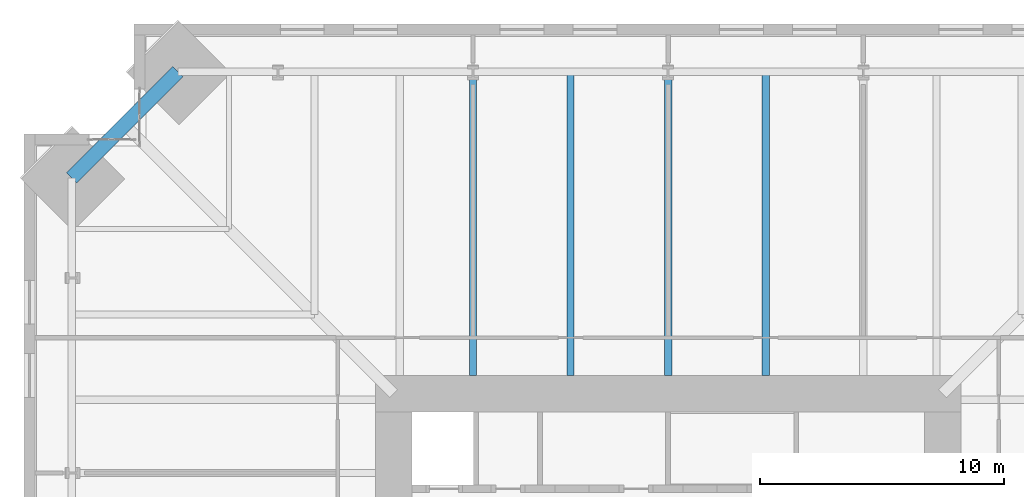
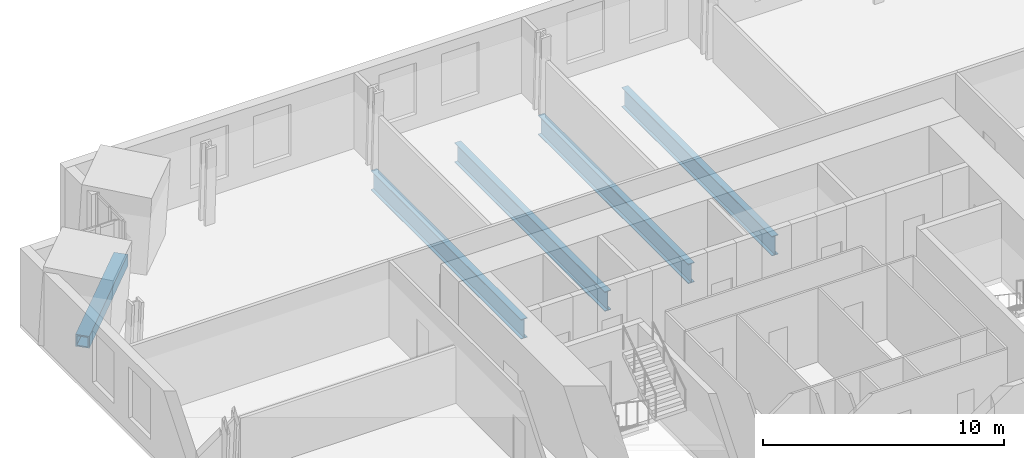
# One storey, part 7 of 18: 5 beams.
"""IFC4 building model written with IfcOpenShell, lengths in metres."""

from ifc_helpers import new_model, si_unit, direction, frame, origin, origin_2d, place, context, subcontext, project, spatial, hollow_rectangle, i_section, extrude, material, material_profile, profile_set, type_object, element, save


model = new_model("IFC4")

# Units and contexts
model_context = context("Model", 3, precision=1e-05, world=origin(), true_north=direction((0.0, 1.0)))
body_context = subcontext(model_context, "Body", "Model", "MODEL_VIEW")
ifc_project = project(units=[si_unit("LENGTHUNIT", "METRE"), si_unit("AREAUNIT", "SQUARE_METRE"), si_unit("VOLUMEUNIT", "CUBIC_METRE"), si_unit("PLANEANGLEUNIT", "RADIAN"), si_unit("MASSUNIT", "GRAM", prefix="KILO")], contexts=[model_context])

# Site, building, storey
site_placement = place(None, origin())
site = spatial("IfcSite", under=ifc_project, at=site_placement, CompositionType="ELEMENT")
building_placement = place(site_placement, origin())
building = spatial("IfcBuilding", under=site, at=building_placement, Name="Peilmerk Tower", CompositionType="ELEMENT")
storey_placement = place(building_placement, frame((0.0, 0.0, 159.800048828125)))
storey = spatial("IfcBuildingStorey", under=building, at=storey_placement, Name="L33", CompositionType="ELEMENT", Elevation=159.800048828125)

# Beams
ifc_material_1 = material(Name="Steel S355", Category="steel")
ifc_material_profile_1 = material_profile(ifc_material_1, i_section(OverallWidth=0.300048828125, OverallDepth=0.989990234375, WebThickness=0.0166015625, FlangeThickness=0.031005859375, at=origin_2d()), Name="HEA 1000")
ifc_profile_set_1 = profile_set([ifc_material_profile_1], Name="Steel S355")
beam_type_1 = type_object("IfcBeamType", Name="B14 HEA 1000 floor girder", PredefinedType="BEAM", material=ifc_profile_set_1)
for number, where, z_axis, x_axis, name in (
    (1, (4.0, 12.0, -0.6650390625), (0.0, 1.0, 0.0), (-1.0, 0.0, 0.0), "Floor beam L33"),
    (2, (0.0, 12.0, -0.6650390625), (0.0, 1.0, 0.0), (-1.0, 0.0, 0.0), "Floor beam L33"),
    (3, (-4.0, 12.0, -0.6650390625), (0.0, 1.0, 0.0), (-1.0, 0.0, 0.0), "Floor beam L33"),
    (4, (-8.0, 12.0, -0.6650390625), (0.0, 1.0, 0.0), (-1.0, 0.0, 0.0), "Floor beam L33"),
):
    element("IfcBeam", number, at=place(storey_placement, frame(where, z_axis=z_axis, x_axis=x_axis)), inside=storey, type_object=beam_type_1, Name=name, PredefinedType="BEAM", context=body_context, shape_type="SweptSolid", body=[
        extrude(i_section(OverallWidth=0.300048828125, OverallDepth=0.989990234375, WebThickness=0.0166015625, FlangeThickness=0.031005859375, at=origin_2d()), origin(), (0.0, 0.0, 1.0), 12.453125),
    ])
ifc_material_2 = material(Name="Steel S460", Category="steel")
ifc_material_profile_2 = material_profile(ifc_material_2, hollow_rectangle(XDim=0.60009765625, YDim=0.60009765625, WallThickness=0.06005859375, at=origin_2d()), Name="BOX 600x600x60")
ifc_profile_set_2 = profile_set([ifc_material_profile_2], Name="Steel S460")
beam_type_2 = type_object("IfcBeamType", Name="B20 BOX 600x600x60 notch beam", PredefinedType="SPANDREL", material=ifc_profile_set_2)
beam_placement = place(storey_placement, frame((-24.453125, 20.103271484375, -0.469970703125), z_axis=(0.707106781187, 0.707106781187, 0.0), x_axis=(-0.707106781187, 0.707106781187, 0.0)))
element("IfcBeam", 5, at=beam_placement, inside=storey, type_object=beam_type_2, Name="Notch beam L33", PredefinedType="SPANDREL", context=body_context, shape_type="SweptSolid", body=[
    extrude(hollow_rectangle(XDim=0.60009765625, YDim=0.60009765625, WallThickness=0.06005859375, at=origin_2d()), origin(), (0.0, 0.0, 1.0), 6.151611328125),
])

save(model, "model.ifc")
